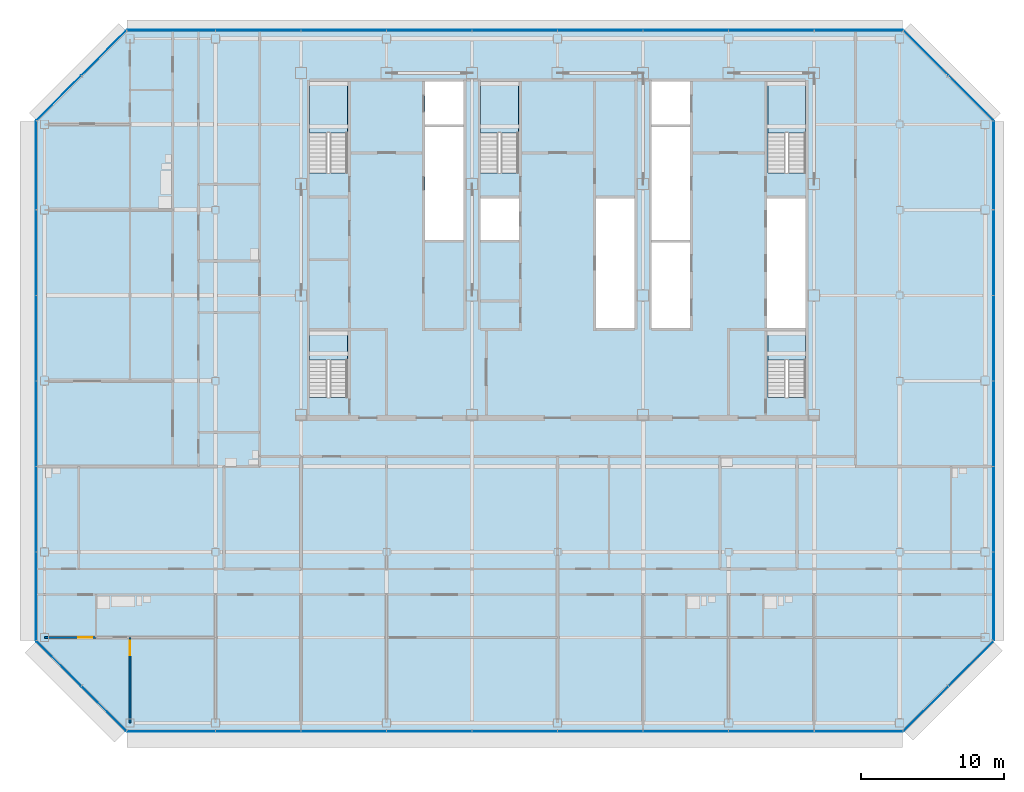
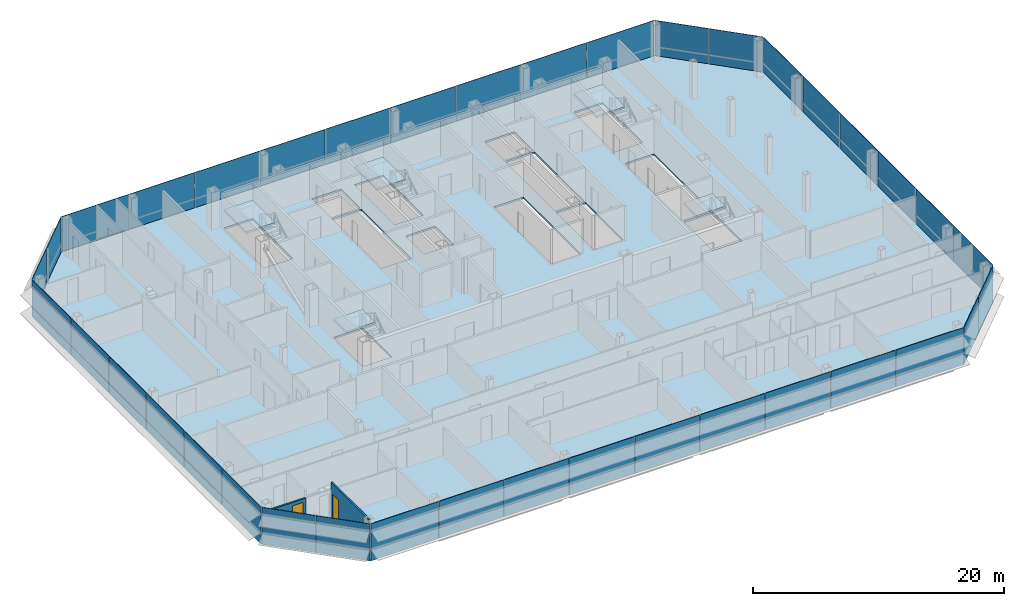
# One storey, part 20 of 27: 38 plates, 6 slabs, 2 doors, 2 walls, 2 openings, 13 elements without a shape of their own.
"""IFC4 building model written with IfcOpenShell, lengths in metres."""

from ifc_helpers import new_model, si_unit, direction, frame, frame_2d, origin, origin_2d, place, context, subcontext, project, spatial, polyline, rectangle, outline, extrude, material, layer, layer_set, type_object, element, fill, aggregate, save


model = new_model("IFC4")

# Units and contexts
model_context = context("Model", 3, precision=1e-05, world=origin(), true_north=direction((0.0, 1.0)))
body_context = subcontext(model_context, "Body", "Model", "MODEL_VIEW")
ifc_project = project(units=[si_unit("LENGTHUNIT", "METRE"), si_unit("AREAUNIT", "SQUARE_METRE"), si_unit("VOLUMEUNIT", "CUBIC_METRE"), si_unit("PLANEANGLEUNIT", "RADIAN"), si_unit("MASSUNIT", "GRAM", prefix="KILO")], contexts=[model_context])

# Site, building, storey
site_placement = place(None, origin())
site = spatial("IfcSite", under=ifc_project, at=site_placement, CompositionType="ELEMENT")
building_placement = place(site_placement, origin())
building = spatial("IfcBuilding", under=site, at=building_placement, Name="Sorahane Residences", CompositionType="ELEMENT")
storey_placement = place(building_placement, frame((0.0, 0.0, 246.800048828125)))
storey = spatial("IfcBuildingStorey", under=building, at=storey_placement, Name="L58", CompositionType="ELEMENT", Elevation=246.800048828125)

# Slab
ifc_material_1 = material(Name="Concrete C35", Category="concrete")
ifc_layer_1 = layer(ifc_material_1, 0.179931640625)
ifc_layer_set_1 = layer_set([ifc_layer_1], Name="Composite floor slab 180 mm Concrete C35")
slab_type_1 = type_object("IfcSlabType", Name="Composite floor slab 180 mm Concrete C35", PredefinedType="FLOOR", material=ifc_layer_set_1)
slab_1_placement = place(storey_placement, frame((0.0, 0.0, -0.179931640625)))
element("IfcSlab", 1, at=slab_1_placement, inside=storey, type_object=slab_type_1, Name="Slab L58", PredefinedType="FLOOR", context=body_context, shape_type="SweptSolid", body=[
    extrude(outline(polyline([(-6.24853515625, -0.60009765625), (-12.60009765625, 5.75146484375), (-12.60009765625, 42.24853515625), (-6.24853515625, 48.60009765625), (48.24853515625, 48.60009765625), (54.60009765625, 42.24853515625), (54.60009765625, 5.75146484375), (48.24853515625, -0.60009765625), (-6.24853515625, -0.60009765625)]), holes=[polyline([(38.699951171875, 27.699951171875), (41.39990234375, 27.699951171875), (41.39990234375, 36.800048828125), (38.699951171875, 36.800048828125), (38.699951171875, 27.699951171875)]), polyline([(30.60009765625, 27.699951171875), (33.300048828125, 27.699951171875), (33.300048828125, 33.699951171875), (30.60009765625, 33.699951171875), (30.60009765625, 27.699951171875)]), polyline([(30.60009765625, 42.0), (33.300048828125, 42.0), (33.300048828125, 45.0), (30.60009765625, 45.0), (30.60009765625, 42.0)]), polyline([(14.699951171875, 42.0), (17.39990234375, 42.0), (17.39990234375, 45.0), (14.699951171875, 45.0), (14.699951171875, 42.0)]), polyline([(9.25, 38.60009765625), (9.25, 45.0), (6.60009765625, 45.0), (6.60009765625, 38.60009765625), (9.25, 38.60009765625)]), polyline([(41.39990234375, 38.60009765625), (41.39990234375, 45.0), (38.75, 45.0), (38.75, 38.60009765625), (41.39990234375, 38.60009765625)]), polyline([(21.25, 38.60009765625), (21.25, 45.0), (18.60009765625, 45.0), (18.60009765625, 38.60009765625), (21.25, 38.60009765625)]), polyline([(9.25, 22.85009765625), (9.25, 27.5), (6.60009765625, 27.5), (6.60009765625, 22.85009765625), (9.25, 22.85009765625)]), polyline([(41.39990234375, 22.85009765625), (41.39990234375, 27.5), (38.75, 27.5), (38.75, 22.85009765625), (41.39990234375, 22.85009765625)]), polyline([(14.699951171875, 33.89990234375), (17.39990234375, 33.89990234375), (17.39990234375, 41.800048828125), (14.699951171875, 41.800048828125), (14.699951171875, 33.89990234375)]), polyline([(30.60009765625, 33.89990234375), (33.300048828125, 33.89990234375), (33.300048828125, 41.800048828125), (30.60009765625, 41.800048828125), (30.60009765625, 33.89990234375)]), polyline([(18.60009765625, 33.89990234375), (21.300048828125, 33.89990234375), (21.300048828125, 36.800048828125), (18.60009765625, 36.800048828125), (18.60009765625, 33.89990234375)]), polyline([(26.699951171875, 27.699951171875), (29.39990234375, 27.699951171875), (29.39990234375, 36.800048828125), (26.699951171875, 36.800048828125), (26.699951171875, 27.699951171875)])]), origin(), (0.0, 0.0, 1.0), 0.179931640625),
])

# Curtain wall, plates
ifc_material_2 = material(Name="Dark low-e glass and black anodised aluminium", Category="aluminium")
curtain_wall_type_1 = type_object("IfcCurtainWallType", Name="Curtain wall CW-1 Typical unitised wall", PredefinedType="NOTDEFINED", material=ifc_material_2)
curtain_wall_1_placement = place(storey_placement, origin())
curtain_wall_1 = element("IfcCurtainWall", 2, at=curtain_wall_1_placement, inside=storey, type_object=curtain_wall_type_1, Name="CW-1 curtain wall L58 S1", PredefinedType="NOTDEFINED")
ifc_material_3 = material(Name="Dark low-e glass with black ceramic frit", Category="glass")
ifc_layer_2 = layer(ifc_material_3, 0.0400390625)
ifc_layer_set_2 = layer_set([ifc_layer_2], Name="Curtain wall glass panel dark low-e with black frit spandrel band")
plate_type = type_object("IfcPlateType", Name="Curtain wall glass panel dark low-e with black frit spandrel band", PredefinedType="CURTAIN_PANEL", material=ifc_layer_set_2)
plate_1_placement = place(storey_placement, frame((-3.11181640625, -0.60009765625, -0.18017578125), z_axis=(0.0, 0.0, 1.0), x_axis=(1.0, 0.0, 0.0)))
plate_1 = element("IfcPlate", 3, at=plate_1_placement, type_object=plate_type, Name="CW-1 glass panel L58 S1.1", PredefinedType="CURTAIN_PANEL", context=body_context, shape_type="SweptSolid", body=[
    extrude(rectangle(XDim=6.173583984375, YDim=0.0400390625, at=origin_2d()), origin(), (0.0, 0.0, 1.0), 3.60009765625),
])
plate_2_placement = place(storey_placement, frame((3.0, -0.60009765625, -0.18017578125), z_axis=(0.0, 0.0, 1.0), x_axis=(1.0, 0.0, 0.0)))
plate_2 = element("IfcPlate", 4, at=plate_2_placement, type_object=plate_type, Name="CW-1 glass panel L58 S1.2", PredefinedType="CURTAIN_PANEL", context=body_context, shape_type="SweptSolid", body=[
    extrude(rectangle(XDim=5.949951171875, YDim=0.0400390625, at=origin_2d()), origin(), (0.0, 0.0, 1.0), 3.60009765625),
])
plate_3_placement = place(storey_placement, frame((9.0, -0.60009765625, -0.18017578125), z_axis=(0.0, 0.0, 1.0), x_axis=(1.0, 0.0, 0.0)))
plate_3 = element("IfcPlate", 5, at=plate_3_placement, type_object=plate_type, Name="CW-1 glass panel L58 S1.3", PredefinedType="CURTAIN_PANEL", context=body_context, shape_type="SweptSolid", body=[
    extrude(rectangle(XDim=5.949951171875, YDim=0.0400390625, at=origin_2d()), origin(), (0.0, 0.0, 1.0), 3.60009765625),
])
plate_4_placement = place(storey_placement, frame((15.0, -0.60009765625, -0.18017578125), z_axis=(0.0, 0.0, 1.0), x_axis=(1.0, 0.0, 0.0)))
plate_4 = element("IfcPlate", 6, at=plate_4_placement, type_object=plate_type, Name="CW-1 glass panel L58 S1.4", PredefinedType="CURTAIN_PANEL", context=body_context, shape_type="SweptSolid", body=[
    extrude(rectangle(XDim=5.949951171875, YDim=0.0400390625, at=origin_2d()), origin(), (0.0, 0.0, 1.0), 3.60009765625),
])
plate_5_placement = place(storey_placement, frame((21.0, -0.60009765625, -0.18017578125), z_axis=(0.0, 0.0, 1.0), x_axis=(1.0, 0.0, 0.0)))
plate_5 = element("IfcPlate", 7, at=plate_5_placement, type_object=plate_type, Name="CW-1 glass panel L58 S1.5", PredefinedType="CURTAIN_PANEL", context=body_context, shape_type="SweptSolid", body=[
    extrude(rectangle(XDim=5.949951171875, YDim=0.0400390625, at=origin_2d()), origin(), (0.0, 0.0, 1.0), 3.60009765625),
])
plate_6_placement = place(storey_placement, frame((27.0, -0.60009765625, -0.18017578125), z_axis=(0.0, 0.0, 1.0), x_axis=(1.0, 0.0, 0.0)))
plate_6 = element("IfcPlate", 8, at=plate_6_placement, type_object=plate_type, Name="CW-1 glass panel L58 S1.6", PredefinedType="CURTAIN_PANEL", context=body_context, shape_type="SweptSolid", body=[
    extrude(rectangle(XDim=5.949951171875, YDim=0.0400390625, at=origin_2d()), origin(), (0.0, 0.0, 1.0), 3.60009765625),
])
plate_7_placement = place(storey_placement, frame((33.0, -0.60009765625, -0.18017578125), z_axis=(0.0, 0.0, 1.0), x_axis=(1.0, 0.0, 0.0)))
plate_7 = element("IfcPlate", 9, at=plate_7_placement, type_object=plate_type, Name="CW-1 glass panel L58 S1.7", PredefinedType="CURTAIN_PANEL", context=body_context, shape_type="SweptSolid", body=[
    extrude(rectangle(XDim=5.949951171875, YDim=0.0400390625, at=origin_2d()), origin(), (0.0, 0.0, 1.0), 3.60009765625),
])
plate_8_placement = place(storey_placement, frame((39.0, -0.60009765625, -0.18017578125), z_axis=(0.0, 0.0, 1.0), x_axis=(1.0, 0.0, 0.0)))
plate_8 = element("IfcPlate", 10, at=plate_8_placement, type_object=plate_type, Name="CW-1 glass panel L58 S1.8", PredefinedType="CURTAIN_PANEL", context=body_context, shape_type="SweptSolid", body=[
    extrude(rectangle(XDim=5.949951171875, YDim=0.0400390625, at=origin_2d()), origin(), (0.0, 0.0, 1.0), 3.60009765625),
])
plate_9_placement = place(storey_placement, frame((45.11181640625, -0.60009765625, -0.18017578125), z_axis=(0.0, 0.0, 1.0), x_axis=(1.0, 0.0, 0.0)))
plate_9 = element("IfcPlate", 11, at=plate_9_placement, type_object=plate_type, Name="CW-1 glass panel L58 S1.9", PredefinedType="CURTAIN_PANEL", context=body_context, shape_type="SweptSolid", body=[
    extrude(rectangle(XDim=6.173583984375, YDim=0.0400390625, at=origin_2d()), origin(), (0.0, 0.0, 1.0), 3.60009765625),
])
aggregate(curtain_wall_1, [plate_1, plate_2, plate_3, plate_4, plate_5, plate_6, plate_7, plate_8, plate_9])

ifc_material_4 = material(Name="Dark low-e glass and black anodised aluminium", Category="aluminium")
curtain_wall_type_2 = type_object("IfcCurtainWallType", Name="Curtain wall CW-2 Chamfer unitised wall", PredefinedType="NOTDEFINED", material=ifc_material_4)
curtain_wall_2_placement = place(storey_placement, origin())
curtain_wall_2 = element("IfcCurtainWall", 12, at=curtain_wall_2_placement, inside=storey, type_object=curtain_wall_type_2, Name="CW-2 curtain wall L58 SE1", PredefinedType="NOTDEFINED")
plate_10_placement = place(storey_placement, frame((49.84521484375, 0.996826171875, -0.18017578125), z_axis=(0.0, 0.0, 1.0), x_axis=(0.707106781187, 0.707106781187, 0.0)))
plate_10 = element("IfcPlate", 13, at=plate_10_placement, type_object=plate_type, Name="CW-2 glass panel L58 SE1.1", PredefinedType="CURTAIN_PANEL", context=body_context, shape_type="SweptSolid", body=[
    extrude(rectangle(XDim=4.416259765625, YDim=0.0400390625, at=origin_2d()), origin(), (0.0, 0.0, 1.0), 3.60009765625),
])
plate_11_placement = place(storey_placement, frame((53.003173828125, 4.15478515625, -0.18017578125), z_axis=(0.0, 0.0, 1.0), x_axis=(0.707106781187, 0.707106781187, 0.0)))
plate_11 = element("IfcPlate", 14, at=plate_11_placement, type_object=plate_type, Name="CW-2 glass panel L58 SE1.2", PredefinedType="CURTAIN_PANEL", context=body_context, shape_type="SweptSolid", body=[
    extrude(rectangle(XDim=4.416259765625, YDim=0.0400390625, at=origin_2d()), origin(), (0.0, 0.0, 1.0), 3.60009765625),
])
aggregate(curtain_wall_2, [plate_10, plate_11])

curtain_wall_3_placement = place(storey_placement, origin())
curtain_wall_3 = element("IfcCurtainWall", 15, at=curtain_wall_3_placement, inside=storey, type_object=curtain_wall_type_1, Name="CW-1 curtain wall L58 E1", PredefinedType="NOTDEFINED")
plate_12_placement = place(storey_placement, frame((54.60009765625, 8.88818359375, -0.18017578125), z_axis=(0.0, 0.0, 1.0), x_axis=(0.0, 1.0, 0.0)))
plate_12 = element("IfcPlate", 16, at=plate_12_placement, type_object=plate_type, Name="CW-1 glass panel L58 E1.1", PredefinedType="CURTAIN_PANEL", context=body_context, shape_type="SweptSolid", body=[
    extrude(rectangle(XDim=6.173583984375, YDim=0.0400390625, at=origin_2d()), origin(), (0.0, 0.0, 1.0), 3.60009765625),
])
plate_13_placement = place(storey_placement, frame((54.60009765625, 15.0, -0.18017578125), z_axis=(0.0, 0.0, 1.0), x_axis=(0.0, 1.0, 0.0)))
plate_13 = element("IfcPlate", 17, at=plate_13_placement, type_object=plate_type, Name="CW-1 glass panel L58 E1.2", PredefinedType="CURTAIN_PANEL", context=body_context, shape_type="SweptSolid", body=[
    extrude(rectangle(XDim=5.949951171875, YDim=0.0400390625, at=origin_2d()), origin(), (0.0, 0.0, 1.0), 3.60009765625),
])
plate_14_placement = place(storey_placement, frame((54.60009765625, 21.0, -0.18017578125), z_axis=(0.0, 0.0, 1.0), x_axis=(0.0, 1.0, 0.0)))
plate_14 = element("IfcPlate", 18, at=plate_14_placement, type_object=plate_type, Name="CW-1 glass panel L58 E1.3", PredefinedType="CURTAIN_PANEL", context=body_context, shape_type="SweptSolid", body=[
    extrude(rectangle(XDim=5.949951171875, YDim=0.0400390625, at=origin_2d()), origin(), (0.0, 0.0, 1.0), 3.60009765625),
])
plate_15_placement = place(storey_placement, frame((54.60009765625, 27.0, -0.18017578125), z_axis=(0.0, 0.0, 1.0), x_axis=(0.0, 1.0, 0.0)))
plate_15 = element("IfcPlate", 19, at=plate_15_placement, type_object=plate_type, Name="CW-1 glass panel L58 E1.4", PredefinedType="CURTAIN_PANEL", context=body_context, shape_type="SweptSolid", body=[
    extrude(rectangle(XDim=5.949951171875, YDim=0.0400390625, at=origin_2d()), origin(), (0.0, 0.0, 1.0), 3.60009765625),
])
plate_16_placement = place(storey_placement, frame((54.60009765625, 33.0, -0.18017578125), z_axis=(0.0, 0.0, 1.0), x_axis=(0.0, 1.0, 0.0)))
plate_16 = element("IfcPlate", 20, at=plate_16_placement, type_object=plate_type, Name="CW-1 glass panel L58 E1.5", PredefinedType="CURTAIN_PANEL", context=body_context, shape_type="SweptSolid", body=[
    extrude(rectangle(XDim=5.949951171875, YDim=0.0400390625, at=origin_2d()), origin(), (0.0, 0.0, 1.0), 3.60009765625),
])
plate_17_placement = place(storey_placement, frame((54.60009765625, 39.11181640625, -0.18017578125), z_axis=(0.0, 0.0, 1.0), x_axis=(0.0, 1.0, 0.0)))
plate_17 = element("IfcPlate", 21, at=plate_17_placement, type_object=plate_type, Name="CW-1 glass panel L58 E1.6", PredefinedType="CURTAIN_PANEL", context=body_context, shape_type="SweptSolid", body=[
    extrude(rectangle(XDim=6.173583984375, YDim=0.0400390625, at=origin_2d()), origin(), (0.0, 0.0, 1.0), 3.60009765625),
])
aggregate(curtain_wall_3, [plate_12, plate_13, plate_14, plate_15, plate_16, plate_17])

curtain_wall_4_placement = place(storey_placement, origin())
curtain_wall_4 = element("IfcCurtainWall", 22, at=curtain_wall_4_placement, inside=storey, type_object=curtain_wall_type_2, Name="CW-2 curtain wall L58 NE1", PredefinedType="NOTDEFINED")
plate_18_placement = place(storey_placement, frame((53.003173828125, 43.84521484375, -0.18017578125), z_axis=(0.0, 0.0, 1.0), x_axis=(-0.707106781187, 0.707106781187, 0.0)))
plate_18 = element("IfcPlate", 23, at=plate_18_placement, type_object=plate_type, Name="CW-2 glass panel L58 NE1.1", PredefinedType="CURTAIN_PANEL", context=body_context, shape_type="SweptSolid", body=[
    extrude(rectangle(XDim=4.416259765625, YDim=0.0400390625, at=origin_2d()), origin(), (0.0, 0.0, 1.0), 3.60009765625),
])
plate_19_placement = place(storey_placement, frame((49.84521484375, 47.003173828125, -0.18017578125), z_axis=(0.0, 0.0, 1.0), x_axis=(-0.707106781187, 0.707106781187, 0.0)))
plate_19 = element("IfcPlate", 24, at=plate_19_placement, type_object=plate_type, Name="CW-2 glass panel L58 NE1.2", PredefinedType="CURTAIN_PANEL", context=body_context, shape_type="SweptSolid", body=[
    extrude(rectangle(XDim=4.416259765625, YDim=0.0400390625, at=origin_2d()), origin(), (0.0, 0.0, 1.0), 3.60009765625),
])
aggregate(curtain_wall_4, [plate_18, plate_19])

curtain_wall_5_placement = place(storey_placement, origin())
curtain_wall_5 = element("IfcCurtainWall", 25, at=curtain_wall_5_placement, inside=storey, type_object=curtain_wall_type_1, Name="CW-1 curtain wall L58 N1", PredefinedType="NOTDEFINED")
plate_20_placement = place(storey_placement, frame((45.11181640625, 48.60009765625, -0.18017578125), z_axis=(0.0, 0.0, 1.0), x_axis=(-1.0, 0.0, 0.0)))
plate_20 = element("IfcPlate", 26, at=plate_20_placement, type_object=plate_type, Name="CW-1 glass panel L58 N1.1", PredefinedType="CURTAIN_PANEL", context=body_context, shape_type="SweptSolid", body=[
    extrude(rectangle(XDim=6.173583984375, YDim=0.0400390625, at=origin_2d()), origin(), (0.0, 0.0, 1.0), 3.60009765625),
])
plate_21_placement = place(storey_placement, frame((39.0, 48.60009765625, -0.18017578125), z_axis=(0.0, 0.0, 1.0), x_axis=(-1.0, 0.0, 0.0)))
plate_21 = element("IfcPlate", 27, at=plate_21_placement, type_object=plate_type, Name="CW-1 glass panel L58 N1.2", PredefinedType="CURTAIN_PANEL", context=body_context, shape_type="SweptSolid", body=[
    extrude(rectangle(XDim=5.949951171875, YDim=0.0400390625, at=origin_2d()), origin(), (0.0, 0.0, 1.0), 3.60009765625),
])
plate_22_placement = place(storey_placement, frame((33.0, 48.60009765625, -0.18017578125), z_axis=(0.0, 0.0, 1.0), x_axis=(-1.0, 0.0, 0.0)))
plate_22 = element("IfcPlate", 28, at=plate_22_placement, type_object=plate_type, Name="CW-1 glass panel L58 N1.3", PredefinedType="CURTAIN_PANEL", context=body_context, shape_type="SweptSolid", body=[
    extrude(rectangle(XDim=5.949951171875, YDim=0.0400390625, at=origin_2d()), origin(), (0.0, 0.0, 1.0), 3.60009765625),
])
plate_23_placement = place(storey_placement, frame((27.0, 48.60009765625, -0.18017578125), z_axis=(0.0, 0.0, 1.0), x_axis=(-1.0, 0.0, 0.0)))
plate_23 = element("IfcPlate", 29, at=plate_23_placement, type_object=plate_type, Name="CW-1 glass panel L58 N1.4", PredefinedType="CURTAIN_PANEL", context=body_context, shape_type="SweptSolid", body=[
    extrude(rectangle(XDim=5.949951171875, YDim=0.0400390625, at=origin_2d()), origin(), (0.0, 0.0, 1.0), 3.60009765625),
])
plate_24_placement = place(storey_placement, frame((21.0, 48.60009765625, -0.18017578125), z_axis=(0.0, 0.0, 1.0), x_axis=(-1.0, 0.0, 0.0)))
plate_24 = element("IfcPlate", 30, at=plate_24_placement, type_object=plate_type, Name="CW-1 glass panel L58 N1.5", PredefinedType="CURTAIN_PANEL", context=body_context, shape_type="SweptSolid", body=[
    extrude(rectangle(XDim=5.949951171875, YDim=0.0400390625, at=origin_2d()), origin(), (0.0, 0.0, 1.0), 3.60009765625),
])
plate_25_placement = place(storey_placement, frame((15.0, 48.60009765625, -0.18017578125), z_axis=(0.0, 0.0, 1.0), x_axis=(-1.0, 0.0, 0.0)))
plate_25 = element("IfcPlate", 31, at=plate_25_placement, type_object=plate_type, Name="CW-1 glass panel L58 N1.6", PredefinedType="CURTAIN_PANEL", context=body_context, shape_type="SweptSolid", body=[
    extrude(rectangle(XDim=5.949951171875, YDim=0.0400390625, at=origin_2d()), origin(), (0.0, 0.0, 1.0), 3.60009765625),
])
plate_26_placement = place(storey_placement, frame((9.0, 48.60009765625, -0.18017578125), z_axis=(0.0, 0.0, 1.0), x_axis=(-1.0, 0.0, 0.0)))
plate_26 = element("IfcPlate", 32, at=plate_26_placement, type_object=plate_type, Name="CW-1 glass panel L58 N1.7", PredefinedType="CURTAIN_PANEL", context=body_context, shape_type="SweptSolid", body=[
    extrude(rectangle(XDim=5.949951171875, YDim=0.0400390625, at=origin_2d()), origin(), (0.0, 0.0, 1.0), 3.60009765625),
])
plate_27_placement = place(storey_placement, frame((3.0, 48.60009765625, -0.18017578125), z_axis=(0.0, 0.0, 1.0), x_axis=(-1.0, 0.0, 0.0)))
plate_27 = element("IfcPlate", 33, at=plate_27_placement, type_object=plate_type, Name="CW-1 glass panel L58 N1.8", PredefinedType="CURTAIN_PANEL", context=body_context, shape_type="SweptSolid", body=[
    extrude(rectangle(XDim=5.949951171875, YDim=0.0400390625, at=origin_2d()), origin(), (0.0, 0.0, 1.0), 3.60009765625),
])
plate_28_placement = place(storey_placement, frame((-3.11181640625, 48.60009765625, -0.18017578125), z_axis=(0.0, 0.0, 1.0), x_axis=(-1.0, 0.0, 0.0)))
plate_28 = element("IfcPlate", 34, at=plate_28_placement, type_object=plate_type, Name="CW-1 glass panel L58 N1.9", PredefinedType="CURTAIN_PANEL", context=body_context, shape_type="SweptSolid", body=[
    extrude(rectangle(XDim=6.173583984375, YDim=0.0400390625, at=origin_2d()), origin(), (0.0, 0.0, 1.0), 3.60009765625),
])
aggregate(curtain_wall_5, [plate_20, plate_21, plate_22, plate_23, plate_24, plate_25, plate_26, plate_27, plate_28])

curtain_wall_6_placement = place(storey_placement, origin())
curtain_wall_6 = element("IfcCurtainWall", 35, at=curtain_wall_6_placement, inside=storey, type_object=curtain_wall_type_2, Name="CW-2 curtain wall L58 NW1", PredefinedType="NOTDEFINED")
plate_29_placement = place(storey_placement, frame((-7.84521484375, 47.003173828125, -0.18017578125), z_axis=(0.0, 0.0, 1.0), x_axis=(-0.707106781187, -0.707106781187, 0.0)))
plate_29 = element("IfcPlate", 36, at=plate_29_placement, type_object=plate_type, Name="CW-2 glass panel L58 NW1.1", PredefinedType="CURTAIN_PANEL", context=body_context, shape_type="SweptSolid", body=[
    extrude(rectangle(XDim=4.416259765625, YDim=0.0400390625, at=origin_2d()), origin(), (0.0, 0.0, 1.0), 3.60009765625),
])
plate_30_placement = place(storey_placement, frame((-11.003173828125, 43.84521484375, -0.18017578125), z_axis=(0.0, 0.0, 1.0), x_axis=(-0.707106781187, -0.707106781187, 0.0)))
plate_30 = element("IfcPlate", 37, at=plate_30_placement, type_object=plate_type, Name="CW-2 glass panel L58 NW1.2", PredefinedType="CURTAIN_PANEL", context=body_context, shape_type="SweptSolid", body=[
    extrude(rectangle(XDim=4.416259765625, YDim=0.0400390625, at=origin_2d()), origin(), (0.0, 0.0, 1.0), 3.60009765625),
])
aggregate(curtain_wall_6, [plate_29, plate_30])

curtain_wall_7_placement = place(storey_placement, origin())
curtain_wall_7 = element("IfcCurtainWall", 38, at=curtain_wall_7_placement, inside=storey, type_object=curtain_wall_type_1, Name="CW-1 curtain wall L58 W1", PredefinedType="NOTDEFINED")
plate_31_placement = place(storey_placement, frame((-12.60009765625, 39.11181640625, -0.18017578125), z_axis=(0.0, 0.0, 1.0), x_axis=(0.0, -1.0, 0.0)))
plate_31 = element("IfcPlate", 39, at=plate_31_placement, type_object=plate_type, Name="CW-1 glass panel L58 W1.1", PredefinedType="CURTAIN_PANEL", context=body_context, shape_type="SweptSolid", body=[
    extrude(rectangle(XDim=6.173583984375, YDim=0.0400390625, at=origin_2d()), origin(), (0.0, 0.0, 1.0), 3.60009765625),
])
plate_32_placement = place(storey_placement, frame((-12.60009765625, 33.0, -0.18017578125), z_axis=(0.0, 0.0, 1.0), x_axis=(0.0, -1.0, 0.0)))
plate_32 = element("IfcPlate", 40, at=plate_32_placement, type_object=plate_type, Name="CW-1 glass panel L58 W1.2", PredefinedType="CURTAIN_PANEL", context=body_context, shape_type="SweptSolid", body=[
    extrude(rectangle(XDim=5.949951171875, YDim=0.0400390625, at=origin_2d()), origin(), (0.0, 0.0, 1.0), 3.60009765625),
])
plate_33_placement = place(storey_placement, frame((-12.60009765625, 27.0, -0.18017578125), z_axis=(0.0, 0.0, 1.0), x_axis=(0.0, -1.0, 0.0)))
plate_33 = element("IfcPlate", 41, at=plate_33_placement, type_object=plate_type, Name="CW-1 glass panel L58 W1.3", PredefinedType="CURTAIN_PANEL", context=body_context, shape_type="SweptSolid", body=[
    extrude(rectangle(XDim=5.949951171875, YDim=0.0400390625, at=origin_2d()), origin(), (0.0, 0.0, 1.0), 3.60009765625),
])
plate_34_placement = place(storey_placement, frame((-12.60009765625, 21.0, -0.18017578125), z_axis=(0.0, 0.0, 1.0), x_axis=(0.0, -1.0, 0.0)))
plate_34 = element("IfcPlate", 42, at=plate_34_placement, type_object=plate_type, Name="CW-1 glass panel L58 W1.4", PredefinedType="CURTAIN_PANEL", context=body_context, shape_type="SweptSolid", body=[
    extrude(rectangle(XDim=5.949951171875, YDim=0.0400390625, at=origin_2d()), origin(), (0.0, 0.0, 1.0), 3.60009765625),
])
plate_35_placement = place(storey_placement, frame((-12.60009765625, 15.0, -0.18017578125), z_axis=(0.0, 0.0, 1.0), x_axis=(0.0, -1.0, 0.0)))
plate_35 = element("IfcPlate", 43, at=plate_35_placement, type_object=plate_type, Name="CW-1 glass panel L58 W1.5", PredefinedType="CURTAIN_PANEL", context=body_context, shape_type="SweptSolid", body=[
    extrude(rectangle(XDim=5.949951171875, YDim=0.0400390625, at=origin_2d()), origin(), (0.0, 0.0, 1.0), 3.60009765625),
])
plate_36_placement = place(storey_placement, frame((-12.60009765625, 8.88818359375, -0.18017578125), z_axis=(0.0, 0.0, 1.0), x_axis=(0.0, -1.0, 0.0)))
plate_36 = element("IfcPlate", 44, at=plate_36_placement, type_object=plate_type, Name="CW-1 glass panel L58 W1.6", PredefinedType="CURTAIN_PANEL", context=body_context, shape_type="SweptSolid", body=[
    extrude(rectangle(XDim=6.173583984375, YDim=0.0400390625, at=origin_2d()), origin(), (0.0, 0.0, 1.0), 3.60009765625),
])
aggregate(curtain_wall_7, [plate_31, plate_32, plate_33, plate_34, plate_35, plate_36])

curtain_wall_8_placement = place(storey_placement, origin())
curtain_wall_8 = element("IfcCurtainWall", 45, at=curtain_wall_8_placement, inside=storey, type_object=curtain_wall_type_2, Name="CW-2 curtain wall L58 SW1", PredefinedType="NOTDEFINED")
plate_37_placement = place(storey_placement, frame((-11.003173828125, 4.15478515625, -0.18017578125), z_axis=(0.0, 0.0, 1.0), x_axis=(0.707106781187, -0.707106781187, 0.0)))
plate_37 = element("IfcPlate", 46, at=plate_37_placement, type_object=plate_type, Name="CW-2 glass panel L58 SW1.1", PredefinedType="CURTAIN_PANEL", context=body_context, shape_type="SweptSolid", body=[
    extrude(rectangle(XDim=4.416259765625, YDim=0.0400390625, at=origin_2d()), origin(), (0.0, 0.0, 1.0), 3.60009765625),
])
plate_38_placement = place(storey_placement, frame((-7.84521484375, 0.996826171875, -0.18017578125), z_axis=(0.0, 0.0, 1.0), x_axis=(0.707106781187, -0.707106781187, 0.0)))
plate_38 = element("IfcPlate", 47, at=plate_38_placement, type_object=plate_type, Name="CW-2 glass panel L58 SW1.2", PredefinedType="CURTAIN_PANEL", context=body_context, shape_type="SweptSolid", body=[
    extrude(rectangle(XDim=4.416259765625, YDim=0.0400390625, at=origin_2d()), origin(), (0.0, 0.0, 1.0), 3.60009765625),
])
aggregate(curtain_wall_8, [plate_37, plate_38])

# Stair, slab
ifc_material_5 = material(Name="Concrete C40", Category="concrete")
stair_type = type_object("IfcStairType", Name="Dog-leg stair 1250 Concrete C40", PredefinedType="HALF_TURN_STAIR", material=ifc_material_5)
stair_1_placement = place(storey_placement, origin())
stair_1 = element("IfcStair", 48, at=stair_1_placement, inside=storey, type_object=stair_type, Name="L58 Stair S1", PredefinedType="HALF_TURN_STAIR")
ifc_material_6 = material(Name="Concrete C40", Category="concrete")
ifc_layer_3 = layer(ifc_material_6, 0.199951171875)
ifc_layer_set_3 = layer_set([ifc_layer_3], Name="Stair landing 200 Concrete C40")
slab_type_2 = type_object("IfcSlabType", Name="Stair landing 200 Concrete C40", PredefinedType="LANDING", material=ifc_layer_set_3)
slab_2_placement = place(storey_placement, frame((0.0, 0.0, 1.599853515625)))
slab_2 = element("IfcSlab", 49, at=slab_2_placement, type_object=slab_type_2, Name="S1 landing 1", PredefinedType="LANDING", context=body_context, shape_type="SweptSolid", body=[
    extrude(outline(polyline([(9.25, 41.39990234375), (9.25, 45.0), (6.60009765625, 45.0), (6.60009765625, 41.39990234375), (9.25, 41.39990234375)])), origin(), (0.0, 0.0, 1.0), 0.2001953125),
])
aggregate(stair_1, [slab_2])

stair_2_placement = place(storey_placement, origin())
stair_2 = element("IfcStair", 50, at=stair_2_placement, inside=storey, type_object=stair_type, Name="L58 Stair S2", PredefinedType="HALF_TURN_STAIR")
slab_3_placement = place(storey_placement, frame((0.0, 0.0, 1.599853515625)))
slab_3 = element("IfcSlab", 51, at=slab_3_placement, type_object=slab_type_2, Name="S2 landing 1", PredefinedType="LANDING", context=body_context, shape_type="SweptSolid", body=[
    extrude(outline(polyline([(41.39990234375, 41.39990234375), (41.39990234375, 45.0), (38.75, 45.0), (38.75, 41.39990234375), (41.39990234375, 41.39990234375)])), origin(), (0.0, 0.0, 1.0), 0.2001953125),
])
aggregate(stair_2, [slab_3])

stair_3_placement = place(storey_placement, origin())
stair_3 = element("IfcStair", 52, at=stair_3_placement, inside=storey, type_object=stair_type, Name="L58 Stair S3", PredefinedType="HALF_TURN_STAIR")
slab_4_placement = place(storey_placement, frame((0.0, 0.0, 1.599853515625)))
slab_4 = element("IfcSlab", 53, at=slab_4_placement, type_object=slab_type_2, Name="S3 landing 1", PredefinedType="LANDING", context=body_context, shape_type="SweptSolid", body=[
    extrude(outline(polyline([(21.25, 41.39990234375), (21.25, 45.0), (18.60009765625, 45.0), (18.60009765625, 41.39990234375), (21.25, 41.39990234375)])), origin(), (0.0, 0.0, 1.0), 0.2001953125),
])
aggregate(stair_3, [slab_4])

stair_4_placement = place(storey_placement, origin())
stair_4 = element("IfcStair", 54, at=stair_4_placement, inside=storey, type_object=stair_type, Name="L58 Stair S4", PredefinedType="HALF_TURN_STAIR")
slab_5_placement = place(storey_placement, frame((0.0, 0.0, 1.599853515625)))
slab_5 = element("IfcSlab", 55, at=slab_5_placement, type_object=slab_type_2, Name="S4 landing 1", PredefinedType="LANDING", context=body_context, shape_type="SweptSolid", body=[
    extrude(outline(polyline([(9.25, 25.449951171875), (9.25, 27.5), (6.60009765625, 27.5), (6.60009765625, 25.449951171875), (9.25, 25.449951171875)])), origin(), (0.0, 0.0, 1.0), 0.2001953125),
])
aggregate(stair_4, [slab_5])

stair_5_placement = place(storey_placement, origin())
stair_5 = element("IfcStair", 56, at=stair_5_placement, inside=storey, type_object=stair_type, Name="L58 Stair S5", PredefinedType="HALF_TURN_STAIR")
slab_6_placement = place(storey_placement, frame((0.0, 0.0, 1.599853515625)))
slab_6 = element("IfcSlab", 57, at=slab_6_placement, type_object=slab_type_2, Name="S5 landing 1", PredefinedType="LANDING", context=body_context, shape_type="SweptSolid", body=[
    extrude(outline(polyline([(41.39990234375, 25.449951171875), (41.39990234375, 27.5), (38.75, 27.5), (38.75, 25.449951171875), (41.39990234375, 25.449951171875)])), origin(), (0.0, 0.0, 1.0), 0.2001953125),
])
aggregate(stair_5, [slab_6])

# Wall, opening, door
ifc_material_7 = material(Name="Gypsum board partition on steel studs", Category="steel")
ifc_layer_4 = layer(ifc_material_7, 0.14990234375)
ifc_layer_set_4 = layer_set([ifc_layer_4], Name="Partition 150 EI 90")
wall_type = type_object("IfcWallType", Name="Partition 150 EI 90", PredefinedType="PARTITIONING", material=ifc_layer_set_4)
wall_1_placement = place(storey_placement, frame((-6.0, 0.0, 0.0), z_axis=(0.0, 0.0, 1.0), x_axis=(0.0, 1.0, 0.0)))
wall_1 = element("IfcWall", 58, at=wall_1_placement, inside=storey, type_object=wall_type, Name="L58 partition", PredefinedType="PARTITIONING", context=body_context, shape_type="SweptSolid", body=[
    extrude(rectangle(XDim=6.0, YDim=0.14990234375, at=frame_2d((3.0, 0.0))), origin(), (0.0, 0.0, 1.0), 3.419921875),
])
opening_1_placement = place(wall_1_placement, frame((4.75, 0.0, 0.0)))
opening_1 = element("IfcOpeningElement", 59, at=opening_1_placement, cuts=wall_1, Name="Opening L58-11", PredefinedType="OPENING", context=body_context, shape_type="SweptSolid", body=[
    extrude(rectangle(XDim=1.0, YDim=2.39990234375, at=frame_2d((0.5, 1.199951171875))), frame((0.0, 0.0849609375, 0.0), z_axis=(0.0, -1.0, 0.0), x_axis=(1.0, 0.0, 0.0)), (0.0, 0.0, 1.0), 0.169921875),
])
ifc_material_8 = material(Name="Timber veneered fire door", Category="wood")
door_type = type_object("IfcDoorType", Name="Room door 1000x2400 FD30", OperationType="NOTDEFINED", PredefinedType="DOOR", material=ifc_material_8)
door_1_placement = place(opening_1_placement, frame((1.0, 0.0, 0.0), z_axis=(0.0, 0.0, 1.0), x_axis=(-1.0, 0.0, 0.0)))
door_1 = element("IfcDoor", 60, at=door_1_placement, inside=storey, type_object=door_type, Name="Room door L58-11", OperationType="SINGLE_SWING_LEFT", OverallHeight=2.39990234375, OverallWidth=1.0, PredefinedType="DOOR", context=body_context, shape_type="SweptSolid", body=[
    extrude(rectangle(XDim=1.0, YDim=2.39990234375, at=frame_2d((0.5, 1.199951171875))), frame((0.0, 0.02490234375, 0.0), z_axis=(0.0, -1.0, 0.0), x_axis=(1.0, 0.0, 0.0)), (0.0, 0.0, 1.0), 0.050048828125),
])
fill(opening_1, door_1)

wall_2_placement = place(storey_placement, frame((-12.0, 6.0, 0.0), z_axis=(0.0, 0.0, 1.0), x_axis=(1.0, 0.0, 0.0)))
wall_2 = element("IfcWall", 61, at=wall_2_placement, inside=storey, type_object=wall_type, Name="L58 partition", PredefinedType="PARTITIONING", context=body_context, shape_type="SweptSolid", body=[
    extrude(rectangle(XDim=3.60009765625, YDim=0.14990234375, at=frame_2d((1.800048828125, 0.0))), origin(), (0.0, 0.0, 1.0), 2.719970703125),
])
opening_2_placement = place(wall_2_placement, frame((2.35009765625, 0.0, 0.0)))
opening_2 = element("IfcOpeningElement", 62, at=opening_2_placement, cuts=wall_2, Name="Opening L58-10", PredefinedType="OPENING", context=body_context, shape_type="SweptSolid", body=[
    extrude(rectangle(XDim=1.0, YDim=2.39990234375, at=frame_2d((0.5, 1.199951171875))), frame((0.0, 0.0849609375, 0.0), z_axis=(0.0, -1.0, 0.0), x_axis=(1.0, 0.0, 0.0)), (0.0, 0.0, 1.0), 0.169921875),
])
door_2_placement = place(opening_2_placement, frame((1.0, 0.0, 0.0), z_axis=(0.0, 0.0, 1.0), x_axis=(-1.0, 0.0, 0.0)))
door_2 = element("IfcDoor", 63, at=door_2_placement, inside=storey, type_object=door_type, Name="Room door L58-10", OperationType="SINGLE_SWING_RIGHT", OverallHeight=2.39990234375, OverallWidth=1.0, PredefinedType="DOOR", context=body_context, shape_type="SweptSolid", body=[
    extrude(rectangle(XDim=1.0, YDim=2.39990234375, at=frame_2d((0.5, 1.199951171875))), frame((0.0, 0.02490234375, 0.0), z_axis=(0.0, -1.0, 0.0), x_axis=(1.0, 0.0, 0.0)), (0.0, 0.0, 1.0), 0.050048828125),
])
fill(opening_2, door_2)

save(model, "model.ifc")
